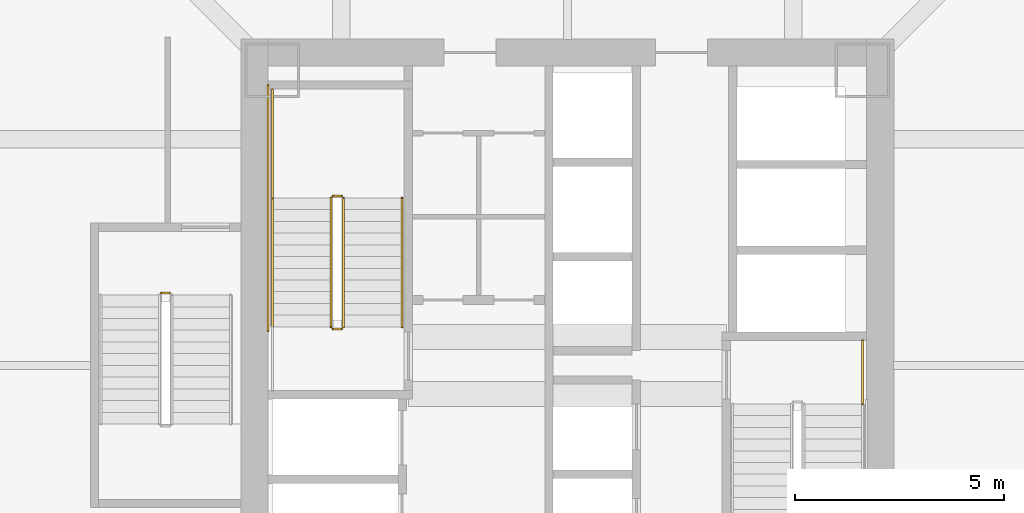
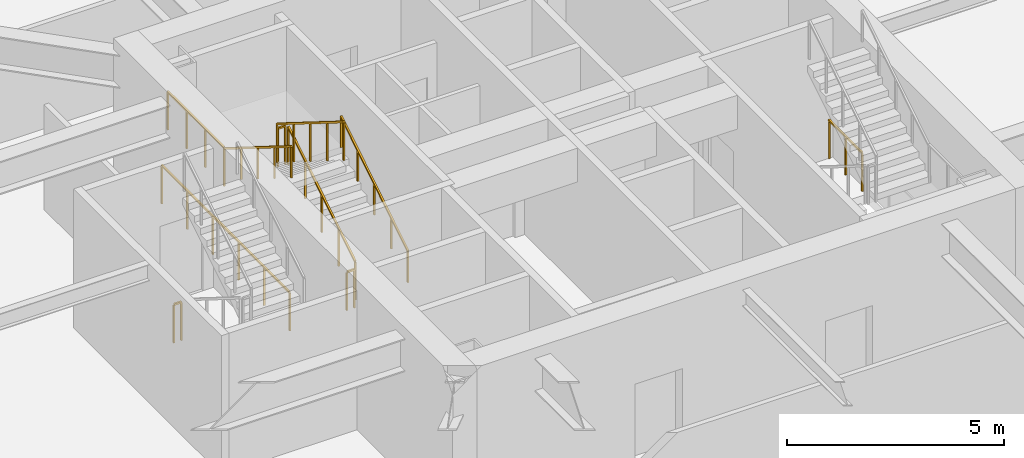
# One storey, part 15 of 20: 10 railings.
"""IFC4 building model written with IfcOpenShell, lengths in metres."""

from ifc_helpers import new_model, si_unit, direction, frame, origin, origin_2d, place, context, subcontext, project, spatial, rectangle, extrude, material, type_object, element, save


model = new_model("IFC4")

# Units and contexts
model_context = context("Model", 3, precision=1e-05, world=origin(), true_north=direction((0.0, 1.0)))
body_context = subcontext(model_context, "Body", "Model", "MODEL_VIEW")
ifc_project = project(units=[si_unit("LENGTHUNIT", "METRE"), si_unit("AREAUNIT", "SQUARE_METRE"), si_unit("VOLUMEUNIT", "CUBIC_METRE"), si_unit("PLANEANGLEUNIT", "RADIAN"), si_unit("MASSUNIT", "GRAM", prefix="KILO")], contexts=[model_context])

# Site, building, storey
site_placement = place(None, origin())
site = spatial("IfcSite", under=ifc_project, at=site_placement, CompositionType="ELEMENT")
building_placement = place(site_placement, origin())
building = spatial("IfcBuilding", under=site, at=building_placement, Name="Tashvorn Skyway Center", CompositionType="ELEMENT")
storey_placement = place(building_placement, frame((0.0, 0.0, 15.60009765625)))
storey = spatial("IfcBuildingStorey", under=building, at=storey_placement, Name="L03", CompositionType="ELEMENT", Elevation=15.60009765625)

# Railings
ifc_material_1 = material(Name="Brushed stainless steel 316", Category="steel")
railing_type_1 = type_object("IfcRailingType", Name="RAIL-HAND-920", PredefinedType="HANDRAIL", material=ifc_material_1)
railing_1_placement = place(storey_placement, frame((38.050048828125, 32.919921875, 0.1748046875)))
element("IfcRailing", 1, at=railing_1_placement, inside=storey, type_object=railing_type_1, Name="L03 ST-T1-1 stair handrail 1", PredefinedType="HANDRAIL", context=body_context, shape_type="SweptSolid", body=[
    extrude(rectangle(XDim=0.048095703125, YDim=0.048095703125, at=origin_2d()), frame((0.0, 0.0, 0.8759765625), z_axis=(0.0, 0.847998304005, 0.529998940003), x_axis=(-1.0, 0.0, 0.0)), (0.0, 0.0, 1.0), 3.632080078125),
    extrude(rectangle(XDim=0.0419921875, YDim=0.0419921875, at=origin_2d()), origin(), (0.0, 0.0, 1.0), 0.851806640625),
    extrude(rectangle(XDim=0.0419921875, YDim=0.0419921875, at=origin_2d()), frame((0.0, 0.77001953125, 0.481201171875)), (0.0, 0.0, 1.0), 0.851806640625),
    extrude(rectangle(XDim=0.0419921875, YDim=0.0419921875, at=origin_2d()), frame((0.0, 1.5400390625, 0.96240234375)), (0.0, 0.0, 1.0), 0.851806640625),
    extrude(rectangle(XDim=0.0419921875, YDim=0.0419921875, at=origin_2d()), frame((0.0, 2.31005859375, 1.44384765625)), (0.0, 0.0, 1.0), 0.851806640625),
    extrude(rectangle(XDim=0.0419921875, YDim=0.0419921875, at=origin_2d()), frame((0.0, 3.080078125, 1.925048828125)), (0.0, 0.0, 1.0), 0.851806640625),
])
railing_2_placement = place(storey_placement, frame((34.949951171875, 36.0, 2.27490234375)))
element("IfcRailing", 2, at=railing_2_placement, inside=storey, type_object=railing_type_1, Name="L03 ST-T1-1 stair handrail 2", PredefinedType="HANDRAIL", context=body_context, shape_type="SweptSolid", body=[
    extrude(rectangle(XDim=0.048095703125, YDim=0.048095703125, at=origin_2d()), frame((0.0, 0.0, 0.8759765625), z_axis=(0.0, -0.847998304005, 0.529998940003), x_axis=(1.0, 0.0, 0.0)), (0.0, 0.0, 1.0), 3.632080078125),
    extrude(rectangle(XDim=0.0419921875, YDim=0.0419921875, at=origin_2d()), origin(), (0.0, 0.0, 1.0), 0.851806640625),
    extrude(rectangle(XDim=0.0419921875, YDim=0.0419921875, at=origin_2d()), frame((0.0, -0.77001953125, 0.481201171875)), (0.0, 0.0, 1.0), 0.851806640625),
    extrude(rectangle(XDim=0.0419921875, YDim=0.0419921875, at=origin_2d()), frame((0.0, -1.5400390625, 0.96240234375)), (0.0, 0.0, 1.0), 0.851806640625),
    extrude(rectangle(XDim=0.0419921875, YDim=0.0419921875, at=origin_2d()), frame((0.0, -2.31005859375, 1.44384765625)), (0.0, 0.0, 1.0), 0.851806640625),
    extrude(rectangle(XDim=0.0419921875, YDim=0.0419921875, at=origin_2d()), frame((0.0, -3.080078125, 1.925048828125)), (0.0, 0.0, 1.0), 0.851806640625),
])
ifc_material_2 = material(Name="Painted galvanized steel S355", Category="steel")
railing_type_2 = type_object("IfcRailingType", Name="RAIL-STGUARD-1100", PredefinedType="GUARDRAIL", material=ifc_material_2)
railing_3_placement = place(storey_placement, frame((36.64990234375, 32.919921875, 0.1748046875)))
element("IfcRailing", 3, at=railing_3_placement, inside=storey, type_object=railing_type_2, Name="L03 ST-T1-1 stair guard 1", PredefinedType="GUARDRAIL", context=body_context, shape_type="SweptSolid", body=[
    extrude(rectangle(XDim=0.048095703125, YDim=0.048095703125, at=origin_2d()), frame((0.0, 0.0, 1.076171875), z_axis=(0.0, 0.847998304005, 0.529998940003), x_axis=(-1.0, 0.0, 0.0)), (0.0, 0.0, 1.0), 3.632080078125),
    extrude(rectangle(XDim=0.0419921875, YDim=0.0419921875, at=origin_2d()), origin(), (0.0, 0.0, 1.0), 1.052001953125),
    extrude(rectangle(XDim=0.0419921875, YDim=0.0419921875, at=origin_2d()), frame((0.0, 0.77001953125, 0.481201171875)), (0.0, 0.0, 1.0), 1.052001953125),
    extrude(rectangle(XDim=0.0419921875, YDim=0.0419921875, at=origin_2d()), frame((0.0, 1.5400390625, 0.96240234375)), (0.0, 0.0, 1.0), 1.052001953125),
    extrude(rectangle(XDim=0.0419921875, YDim=0.0419921875, at=origin_2d()), frame((0.0, 2.31005859375, 1.44384765625)), (0.0, 0.0, 1.0), 1.052001953125),
    extrude(rectangle(XDim=0.0419921875, YDim=0.0419921875, at=origin_2d()), frame((0.0, 3.080078125, 1.925048828125)), (0.0, 0.0, 1.0), 1.052001953125),
])
railing_4_placement = place(storey_placement, frame((36.60009765625, 36.050048828125, 2.099853515625)))
element("IfcRailing", 4, at=railing_4_placement, inside=storey, type_object=railing_type_2, Name="L03 ST-T1-1 stair guard 2", PredefinedType="GUARDRAIL", context=body_context, shape_type="SweptSolid", body=[
    extrude(rectangle(XDim=0.048095703125, YDim=0.048095703125, at=origin_2d()), frame((0.0, 0.0, 1.076171875), z_axis=(-1.0, 0.0, 0.0), x_axis=(0.0, -1.0, 0.0)), (0.0, 0.0, 1.0), 0.2001953125),
    extrude(rectangle(XDim=0.0419921875, YDim=0.0419921875, at=origin_2d()), origin(), (0.0, 0.0, 1.0), 1.052001953125),
    extrude(rectangle(XDim=0.0419921875, YDim=0.0419921875, at=origin_2d()), frame((-0.2001953125, 0.0, 0.0)), (0.0, 0.0, 1.0), 1.052001953125),
])
railing_5_placement = place(storey_placement, frame((34.949951171875, 36.0, 2.099853515625)))
element("IfcRailing", 5, at=railing_5_placement, inside=storey, type_object=railing_type_2, Name="L03 ST-T1-1 stair guard 3", PredefinedType="GUARDRAIL", context=body_context, shape_type="SweptSolid", body=[
    extrude(rectangle(XDim=0.048095703125, YDim=0.048095703125, at=origin_2d()), frame((0.0, 0.0, 1.076171875), z_axis=(0.0, 1.0, 0.0), x_axis=(-1.0, 0.0, 0.0)), (0.0, 0.0, 1.0), 2.60009765625),
    extrude(rectangle(XDim=0.0419921875, YDim=0.0419921875, at=origin_2d()), origin(), (0.0, 0.0, 1.0), 1.052001953125),
    extrude(rectangle(XDim=0.0419921875, YDim=0.0419921875, at=origin_2d()), frame((0.0, 0.86669921875, 0.0)), (0.0, 0.0, 1.0), 1.052001953125),
    extrude(rectangle(XDim=0.0419921875, YDim=0.0419921875, at=origin_2d()), frame((0.0, 1.7333984375, 0.0)), (0.0, 0.0, 1.0), 1.052001953125),
    extrude(rectangle(XDim=0.0419921875, YDim=0.0419921875, at=origin_2d()), frame((0.0, 2.60009765625, 0.0)), (0.0, 0.0, 1.0), 1.052001953125),
])
railing_6_placement = place(storey_placement, frame((36.35009765625, 36.0, 2.27490234375)))
element("IfcRailing", 6, at=railing_6_placement, inside=storey, type_object=railing_type_2, Name="L03 ST-T1-1 stair guard 4", PredefinedType="GUARDRAIL", context=body_context, shape_type="SweptSolid", body=[
    extrude(rectangle(XDim=0.048095703125, YDim=0.048095703125, at=origin_2d()), frame((0.0, 0.0, 1.076171875), z_axis=(0.0, -0.847998304005, 0.529998940003), x_axis=(1.0, 0.0, 0.0)), (0.0, 0.0, 1.0), 3.632080078125),
    extrude(rectangle(XDim=0.0419921875, YDim=0.0419921875, at=origin_2d()), origin(), (0.0, 0.0, 1.0), 1.052001953125),
    extrude(rectangle(XDim=0.0419921875, YDim=0.0419921875, at=origin_2d()), frame((0.0, -0.77001953125, 0.481201171875)), (0.0, 0.0, 1.0), 1.052001953125),
    extrude(rectangle(XDim=0.0419921875, YDim=0.0419921875, at=origin_2d()), frame((0.0, -1.5400390625, 0.96240234375)), (0.0, 0.0, 1.0), 1.052001953125),
    extrude(rectangle(XDim=0.0419921875, YDim=0.0419921875, at=origin_2d()), frame((0.0, -2.31005859375, 1.44384765625)), (0.0, 0.0, 1.0), 1.052001953125),
    extrude(rectangle(XDim=0.0419921875, YDim=0.0419921875, at=origin_2d()), frame((0.0, -3.080078125, 1.925048828125)), (0.0, 0.0, 1.0), 1.052001953125),
])
railing_7_placement = place(storey_placement, frame((36.60009765625, 32.8701171875, 0.0)))
element("IfcRailing", 7, at=railing_7_placement, inside=storey, type_object=railing_type_2, Name="L03 ST-T1-1 stair guard 5", PredefinedType="GUARDRAIL", context=body_context, shape_type="SweptSolid", body=[
    extrude(rectangle(XDim=0.048095703125, YDim=0.048095703125, at=origin_2d()), frame((0.0, 0.0, 1.076171875), z_axis=(-1.0, 0.0, 0.0), x_axis=(0.0, -1.0, 0.0)), (0.0, 0.0, 1.0), 0.2001953125),
    extrude(rectangle(XDim=0.0419921875, YDim=0.0419921875, at=origin_2d()), origin(), (0.0, 0.0, 1.0), 1.052001953125),
    extrude(rectangle(XDim=0.0419921875, YDim=0.0419921875, at=origin_2d()), frame((-0.2001953125, 0.0, 0.0)), (0.0, 0.0, 1.0), 1.052001953125),
])
railing_8_placement = place(storey_placement, frame((34.85009765625, 32.820068359375, 0.0)))
element("IfcRailing", 8, at=railing_8_placement, inside=storey, type_object=railing_type_2, Name="L03 ST-T1-1 stair guard 7", PredefinedType="GUARDRAIL", context=body_context, shape_type="SweptSolid", body=[
    extrude(rectangle(XDim=0.048095703125, YDim=0.048095703125, at=origin_2d()), frame((0.0, 0.0, 1.076171875), z_axis=(0.0, 1.0, 0.0), x_axis=(-1.0, 0.0, 0.0)), (0.0, 0.0, 1.0), 5.8798828125),
    extrude(rectangle(XDim=0.0419921875, YDim=0.0419921875, at=origin_2d()), origin(), (0.0, 0.0, 1.0), 1.052001953125),
    extrude(rectangle(XDim=0.0419921875, YDim=0.0419921875, at=origin_2d()), frame((0.0, 1.176025390625, 0.0)), (0.0, 0.0, 1.0), 1.052001953125),
    extrude(rectangle(XDim=0.0419921875, YDim=0.0419921875, at=origin_2d()), frame((0.0, 2.35205078125, 0.0)), (0.0, 0.0, 1.0), 1.052001953125),
    extrude(rectangle(XDim=0.0419921875, YDim=0.0419921875, at=origin_2d()), frame((0.0, 3.52783203125, 0.0)), (0.0, 0.0, 1.0), 1.052001953125),
    extrude(rectangle(XDim=0.0419921875, YDim=0.0419921875, at=origin_2d()), frame((0.0, 4.703857421875, 0.0)), (0.0, 0.0, 1.0), 1.052001953125),
    extrude(rectangle(XDim=0.0419921875, YDim=0.0419921875, at=origin_2d()), frame((0.0, 5.8798828125, 0.0)), (0.0, 0.0, 1.0), 1.052001953125),
])
railing_9_placement = place(storey_placement, frame((49.050048828125, 32.60009765625, 0.0)))
element("IfcRailing", 9, at=railing_9_placement, inside=storey, type_object=railing_type_2, Name="L03 ST-T1-2 stair guard 6", PredefinedType="GUARDRAIL", context=body_context, shape_type="SweptSolid", body=[
    extrude(rectangle(XDim=0.048095703125, YDim=0.048095703125, at=origin_2d()), frame((0.0, 0.0, 1.076171875), z_axis=(0.0, -1.0, 0.0), x_axis=(1.0, 0.0, 0.0)), (0.0, 0.0, 1.0), 1.52001953125),
    extrude(rectangle(XDim=0.0419921875, YDim=0.0419921875, at=origin_2d()), origin(), (0.0, 0.0, 1.0), 1.052001953125),
    extrude(rectangle(XDim=0.0419921875, YDim=0.0419921875, at=origin_2d()), frame((0.0, -0.760009765625, 0.0)), (0.0, 0.0, 1.0), 1.052001953125),
    extrude(rectangle(XDim=0.0419921875, YDim=0.0419921875, at=origin_2d()), frame((0.0, -1.52001953125, 0.0)), (0.0, 0.0, 1.0), 1.052001953125),
])
railing_10_placement = place(storey_placement, frame((32.300048828125, 33.72998046875, 0.0)))
element("IfcRailing", 10, at=railing_10_placement, inside=storey, type_object=railing_type_2, Name="L03 ST-T1-3 stair guard 4", PredefinedType="GUARDRAIL", context=body_context, shape_type="SweptSolid", body=[
    extrude(rectangle(XDim=0.048095703125, YDim=0.048095703125, at=origin_2d()), frame((0.0, 0.0, 1.076171875), z_axis=(1.0, 0.0, 0.0), x_axis=(0.0, 1.0, 0.0)), (0.0, 0.0, 1.0), 0.199951171875),
    extrude(rectangle(XDim=0.0419921875, YDim=0.0419921875, at=origin_2d()), origin(), (0.0, 0.0, 1.0), 1.052001953125),
    extrude(rectangle(XDim=0.0419921875, YDim=0.0419921875, at=origin_2d()), frame((0.199951171875, 0.0, 0.0)), (0.0, 0.0, 1.0), 1.052001953125),
])

save(model, "model.ifc")
